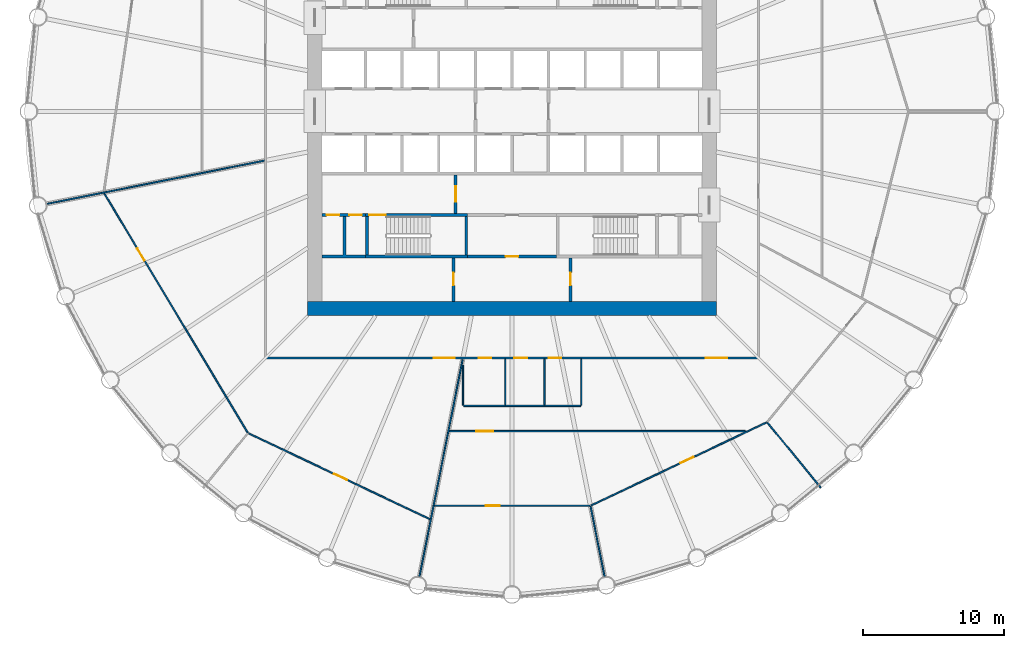
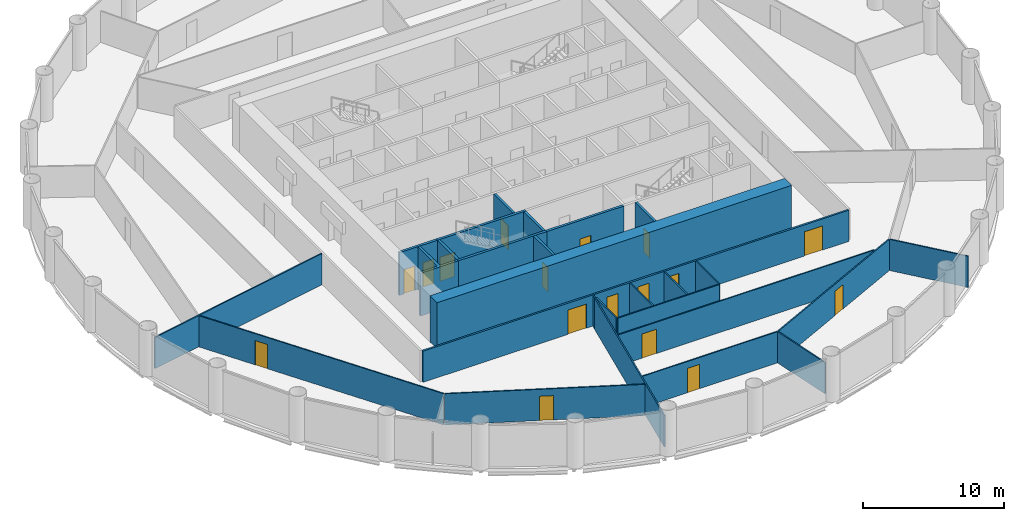
# One storey, part 4 of 8: 27 walls, 17 doors, 17 openings.
"""IFC4 building model written with IfcOpenShell, lengths in metres."""

from ifc_helpers import new_model, si_unit, direction, frame, frame_2d, origin, place, context, subcontext, project, spatial, polyline, rectangle, outline, extrude, material, layer, layer_set, type_object, element, fill, save


model = new_model("IFC4")

# Units and contexts
model_context = context("Model", 3, precision=1e-05, world=origin(), true_north=direction((0.0, 1.0)))
body_context = subcontext(model_context, "Body", "Model", "MODEL_VIEW")
ifc_project = project(units=[si_unit("LENGTHUNIT", "METRE"), si_unit("AREAUNIT", "SQUARE_METRE"), si_unit("VOLUMEUNIT", "CUBIC_METRE"), si_unit("PLANEANGLEUNIT", "RADIAN"), si_unit("MASSUNIT", "GRAM", prefix="KILO")], contexts=[model_context])

# Site, building, storey
site_placement = place(None, origin())
site = spatial("IfcSite", under=ifc_project, at=site_placement, CompositionType="ELEMENT")
building_placement = place(site_placement, origin())
building = spatial("IfcBuilding", under=site, at=building_placement, Name="Corvane Civic Tower", CompositionType="ELEMENT")
storey_placement = place(building_placement, frame((0.0, 0.0, 122.5)))
storey = spatial("IfcBuildingStorey", under=building, at=storey_placement, Name="L28", CompositionType="ELEMENT", Elevation=122.5)

# Wall
ifc_material_1 = material(Name="Concrete C70/85", Category="concrete")
ifc_layer_1 = layer(ifc_material_1, 1.0)
ifc_layer_set_1 = layer_set([ifc_layer_1], Name="Concrete C70/85")
wall_type_1 = type_object("IfcWallType", Name="CORE WALL 1000 C70/85", PredefinedType="SHEAR", material=ifc_layer_set_1)
wall_1_placement = place(storey_placement, frame((-14.5, -14.0, 0.0), z_axis=(0.0, 0.0, 1.0), x_axis=(1.0, 0.0, 0.0)))
element("IfcWall", 1, at=wall_1_placement, inside=storey, type_object=wall_type_1, Name="W-L28-core-S", PredefinedType="SHEAR", context=body_context, shape_type="SweptSolid", body=[
    extrude(rectangle(XDim=29.0, YDim=1.0, at=frame_2d((14.5, 0.0))), origin(), (0.0, 0.0, 1.0), 4.0),
])

# Wall, opening, door
ifc_material_2 = material(Name="Concrete C30/37", Category="concrete")
ifc_layer_2 = layer(ifc_material_2, 0.199951171875)
ifc_layer_set_2 = layer_set([ifc_layer_2], Name="Concrete C30/37")
wall_type_2 = type_object("IfcWallType", Name="CR-WALL-200", PredefinedType="PARTITIONING", material=ifc_layer_set_2)
wall_2_placement = place(storey_placement, frame((-3.14990234375, -10.300048828125, 0.0), z_axis=(0.0, 0.0, 1.0), x_axis=(1.0, 0.0, 0.0)))
wall_2 = element("IfcWall", 2, at=wall_2_placement, inside=storey, type_object=wall_type_2, Name="L28 partition wall", PredefinedType="PARTITIONING", context=body_context, shape_type="SweptSolid", body=[
    extrude(rectangle(XDim=6.2998046875, YDim=0.199951171875, at=frame_2d((3.14990234375, 0.0))), origin(), (0.0, 0.0, 1.0), 3.699951171875),
])
opening_1_placement = place(wall_2_placement, frame((2.699951171875, 0.0, 0.0)))
opening_1 = element("IfcOpeningElement", 3, at=opening_1_placement, cuts=wall_2, Name="Opening L28.C08", PredefinedType="OPENING", context=body_context, shape_type="SweptSolid", body=[
    extrude(rectangle(XDim=0.89990234375, YDim=2.10009765625, at=frame_2d((0.449951171875, 1.050048828125))), frame((0.0, 0.10986328125, 0.0), z_axis=(0.0, -1.0, 0.0), x_axis=(1.0, 0.0, 0.0)), (0.0, 0.0, 1.0), 0.219970703125),
])
ifc_material_3 = material(Name="Steel fire door leaf", Category="steel")
door_type_1 = type_object("IfcDoorType", Name="CR-DOOR-900", OperationType="SINGLE_SWING_LEFT", PredefinedType="DOOR", material=ifc_material_3)
door_1_placement = place(opening_1_placement, origin())
door_1 = element("IfcDoor", 4, at=door_1_placement, inside=storey, type_object=door_type_1, Name="L28 door", OperationType="SINGLE_SWING_LEFT", OverallHeight=2.10009765625, OverallWidth=0.89990234375, PredefinedType="DOOR", context=body_context, shape_type="SweptSolid", body=[
    extrude(rectangle(XDim=0.89990234375, YDim=2.10009765625, at=frame_2d((0.449951171875, 1.050048828125))), frame((0.0, 0.02490234375, 0.0), z_axis=(0.0, -1.0, 0.0), x_axis=(1.0, 0.0, 0.0)), (0.0, 0.0, 1.0), 0.050048828125),
])
fill(opening_1, door_1)

# Wall, openings, doors
wall_3_placement = place(storey_placement, frame((-13.5, -7.35009765625, 0.0), z_axis=(0.0, 0.0, 1.0), x_axis=(1.0, 0.0, 0.0)))
wall_3 = element("IfcWall", 5, at=wall_3_placement, inside=storey, type_object=wall_type_2, Name="L28 core partition wall", PredefinedType="PARTITIONING", context=body_context, shape_type="SweptSolid", body=[
    extrude(rectangle(XDim=3.10009765625, YDim=0.199951171875, at=frame_2d((1.550048828125, 0.0))), origin(), (0.0, 0.0, 1.0), 3.699951171875),
])
opening_2_placement = place(wall_3_placement, frame((0.35009765625, 0.0, 0.0)))
opening_2 = element("IfcOpeningElement", 6, at=opening_2_placement, cuts=wall_3, Name="Opening L28.C12", PredefinedType="OPENING", context=body_context, shape_type="SweptSolid", body=[
    extrude(rectangle(XDim=0.89990234375, YDim=2.10009765625, at=frame_2d((0.449951171875, 1.050048828125))), frame((0.0, 0.10986328125, 0.0), z_axis=(0.0, -1.0, 0.0), x_axis=(1.0, 0.0, 0.0)), (0.0, 0.0, 1.0), 0.219970703125),
])
opening_3_placement = place(wall_3_placement, frame((1.949951171875, 0.0, 0.0)))
opening_3 = element("IfcOpeningElement", 7, at=opening_3_placement, cuts=wall_3, Name="Opening L28.C13", PredefinedType="OPENING", context=body_context, shape_type="SweptSolid", body=[
    extrude(rectangle(XDim=0.89990234375, YDim=2.10009765625, at=frame_2d((0.449951171875, 1.050048828125))), frame((0.0, 0.10986328125, 0.0), z_axis=(0.0, -1.0, 0.0), x_axis=(1.0, 0.0, 0.0)), (0.0, 0.0, 1.0), 0.219970703125),
])
door_2_placement = place(opening_2_placement, origin())
door_2 = element("IfcDoor", 8, at=door_2_placement, inside=storey, type_object=door_type_1, Name="L28 door", OperationType="SINGLE_SWING_LEFT", OverallHeight=2.10009765625, OverallWidth=0.89990234375, PredefinedType="DOOR", context=body_context, shape_type="SweptSolid", body=[
    extrude(rectangle(XDim=0.89990234375, YDim=2.10009765625, at=frame_2d((0.449951171875, 1.050048828125))), frame((0.0, 0.02490234375, 0.0), z_axis=(0.0, -1.0, 0.0), x_axis=(1.0, 0.0, 0.0)), (0.0, 0.0, 1.0), 0.050048828125),
])
fill(opening_2, door_2)
door_3_placement = place(opening_3_placement, origin())
door_3 = element("IfcDoor", 9, at=door_3_placement, inside=storey, type_object=door_type_1, Name="L28 door", OperationType="SINGLE_SWING_LEFT", OverallHeight=2.10009765625, OverallWidth=0.89990234375, PredefinedType="DOOR", context=body_context, shape_type="SweptSolid", body=[
    extrude(rectangle(XDim=0.89990234375, YDim=2.10009765625, at=frame_2d((0.449951171875, 1.050048828125))), frame((0.0, 0.02490234375, 0.0), z_axis=(0.0, -1.0, 0.0), x_axis=(1.0, 0.0, 0.0)), (0.0, 0.0, 1.0), 0.050048828125),
])
fill(opening_3, door_3)

# Wall, opening, door
wall_4_placement = place(storey_placement, frame((-4.14990234375, -13.5, 0.0), z_axis=(0.0, 0.0, 1.0), x_axis=(0.0, 1.0, 0.0)))
wall_4 = element("IfcWall", 10, at=wall_4_placement, inside=storey, type_object=wall_type_2, Name="L28 partition wall", PredefinedType="PARTITIONING", context=body_context, shape_type="SweptSolid", body=[
    extrude(rectangle(XDim=3.10009765625, YDim=0.199951171875, at=frame_2d((1.550048828125, 0.0))), origin(), (0.0, 0.0, 1.0), 3.699951171875),
])
opening_4_placement = place(wall_4_placement, frame((1.14990234375, 0.0, 0.0)))
opening_4 = element("IfcOpeningElement", 11, at=opening_4_placement, cuts=wall_4, Name="Opening L28.C07", PredefinedType="OPENING", context=body_context, shape_type="SweptSolid", body=[
    extrude(rectangle(XDim=0.89990234375, YDim=2.10009765625, at=frame_2d((0.449951171875, 1.050048828125))), frame((0.0, 0.10986328125, 0.0), z_axis=(0.0, -1.0, 0.0), x_axis=(1.0, 0.0, 0.0)), (0.0, 0.0, 1.0), 0.219970703125),
])
door_4_placement = place(opening_4_placement, origin())
door_4 = element("IfcDoor", 12, at=door_4_placement, inside=storey, type_object=door_type_1, Name="L28 door", OperationType="SINGLE_SWING_LEFT", OverallHeight=2.10009765625, OverallWidth=0.89990234375, PredefinedType="DOOR", context=body_context, shape_type="SweptSolid", body=[
    extrude(rectangle(XDim=0.89990234375, YDim=2.10009765625, at=frame_2d((0.449951171875, 1.050048828125))), frame((0.0, 0.02490234375, 0.0), z_axis=(0.0, -1.0, 0.0), x_axis=(1.0, 0.0, 0.0)), (0.0, 0.0, 1.0), 0.050048828125),
])
fill(opening_4, door_4)

wall_5_placement = place(storey_placement, frame((-4.0, -7.25, 0.0), z_axis=(0.0, 0.0, 1.0), x_axis=(0.0, 1.0, 0.0)))
wall_5 = element("IfcWall", 13, at=wall_5_placement, inside=storey, type_object=wall_type_2, Name="L28 core partition wall", PredefinedType="PARTITIONING", context=body_context, shape_type="SweptSolid", body=[
    extrude(rectangle(XDim=2.75, YDim=0.199951171875, at=frame_2d((1.375, 0.0))), origin(), (0.0, 0.0, 1.0), 3.699951171875),
])
opening_5_placement = place(wall_5_placement, frame((0.824951171875, 0.0, 0.0)))
opening_5 = element("IfcOpeningElement", 14, at=opening_5_placement, cuts=wall_5, Name="Opening L28.C25", PredefinedType="OPENING", context=body_context, shape_type="SweptSolid", body=[
    extrude(rectangle(XDim=1.10009765625, YDim=2.10009765625, at=frame_2d((0.550048828125, 1.050048828125))), frame((0.0, 0.10986328125, 0.0), z_axis=(0.0, -1.0, 0.0), x_axis=(1.0, 0.0, 0.0)), (0.0, 0.0, 1.0), 0.219970703125),
])
ifc_material_4 = material(Name="Steel fire door leaf", Category="steel")
door_type_2 = type_object("IfcDoorType", Name="CR-DOOR-FFL-1100", OperationType="SINGLE_SWING_LEFT", PredefinedType="DOOR", material=ifc_material_4)
door_5_placement = place(opening_5_placement, origin())
door_5 = element("IfcDoor", 15, at=door_5_placement, inside=storey, type_object=door_type_2, Name="L28 lobby door", OperationType="SINGLE_SWING_LEFT", OverallHeight=2.10009765625, OverallWidth=1.10009765625, PredefinedType="DOOR", context=body_context, shape_type="SweptSolid", body=[
    extrude(rectangle(XDim=1.10009765625, YDim=2.10009765625, at=frame_2d((0.550048828125, 1.050048828125))), frame((0.0, 0.02490234375, 0.0), z_axis=(0.0, -1.0, 0.0), x_axis=(1.0, 0.0, 0.0)), (0.0, 0.0, 1.0), 0.050048828125),
])
fill(opening_5, door_5)

wall_6_placement = place(storey_placement, frame((4.14990234375, -13.5, 0.0), z_axis=(0.0, 0.0, 1.0), x_axis=(0.0, 1.0, 0.0)))
wall_6 = element("IfcWall", 16, at=wall_6_placement, inside=storey, type_object=wall_type_2, Name="L28 partition wall", PredefinedType="PARTITIONING", context=body_context, shape_type="SweptSolid", body=[
    extrude(rectangle(XDim=3.10009765625, YDim=0.199951171875, at=frame_2d((1.550048828125, 0.0))), origin(), (0.0, 0.0, 1.0), 3.699951171875),
])
opening_6_placement = place(wall_6_placement, frame((1.14990234375, 0.0, 0.0)))
opening_6 = element("IfcOpeningElement", 17, at=opening_6_placement, cuts=wall_6, Name="Opening L28.C09", PredefinedType="OPENING", context=body_context, shape_type="SweptSolid", body=[
    extrude(rectangle(XDim=0.89990234375, YDim=2.10009765625, at=frame_2d((0.449951171875, 1.050048828125))), frame((0.0, 0.10986328125, 0.0), z_axis=(0.0, -1.0, 0.0), x_axis=(1.0, 0.0, 0.0)), (0.0, 0.0, 1.0), 0.219970703125),
])
door_6_placement = place(opening_6_placement, origin())
door_6 = element("IfcDoor", 18, at=door_6_placement, inside=storey, type_object=door_type_1, Name="L28 door", OperationType="SINGLE_SWING_LEFT", OverallHeight=2.10009765625, OverallWidth=0.89990234375, PredefinedType="DOOR", context=body_context, shape_type="SweptSolid", body=[
    extrude(rectangle(XDim=0.89990234375, YDim=2.10009765625, at=frame_2d((0.449951171875, 1.050048828125))), frame((0.0, 0.02490234375, 0.0), z_axis=(0.0, -1.0, 0.0), x_axis=(1.0, 0.0, 0.0)), (0.0, 0.0, 1.0), 0.050048828125),
])
fill(opening_6, door_6)

# Walls
wall_7_placement = place(storey_placement, origin())
element("IfcWall", 19, at=wall_7_placement, inside=storey, type_object=wall_type_2, Name="L28 core partition wall", PredefinedType="PARTITIONING", context=body_context, shape_type="SweptSolid", body=[
    extrude(outline(polyline([(-12.0, -7.449951171875), (-11.800048828125, -7.449951171875), (-11.800048828125, -10.199951171875), (-10.39990234375, -10.199951171875), (-10.39990234375, -10.39990234375), (-13.5, -10.39990234375), (-13.5, -10.199951171875), (-12.0, -10.199951171875), (-12.0, -7.449951171875)])), origin(), (0.0, 0.0, 1.0), 3.699951171875),
])
ifc_material_5 = material(Name="Plasterboard")
ifc_layer_3 = layer(ifc_material_5, 0.10009765625)
ifc_layer_set_3 = layer_set([ifc_layer_3], Name="Plasterboard")
wall_type_3 = type_object("IfcWallType", Name="Partition 100 plasterboard on studs", PredefinedType="PARTITIONING", material=ifc_layer_set_3)
wall_8_placement = place(storey_placement, frame((-6.567626953125, -33.01806640625, 0.0), z_axis=(0.0, 0.0, 1.0), x_axis=(0.195082522727, 0.980786831746, 0.0)))
element("IfcWall", 20, at=wall_8_placement, inside=storey, type_object=wall_type_3, Name="Partition L28.001", PredefinedType="PARTITIONING", context=body_context, shape_type="SweptSolid", body=[
    extrude(rectangle(XDim=15.309326171875, YDim=0.10009765625, at=frame_2d((7.65478515625, 0.0))), origin(), (0.0, 0.0, 1.0), 2.699951171875),
])
wall_9_placement = place(storey_placement, frame((5.576416015625, -28.034912109375, 0.0), z_axis=(0.0, 0.0, 1.0), x_axis=(0.195090306735, -0.980785283443, 0.0)))
element("IfcWall", 21, at=wall_9_placement, inside=storey, type_object=wall_type_3, Name="Partition L28.002", PredefinedType="PARTITIONING", context=body_context, shape_type="SweptSolid", body=[
    extrude(rectangle(XDim=5.080810546875, YDim=0.10009765625, at=frame_2d((2.54052734375, 0.0))), origin(), (0.0, 0.0, 1.0), 2.699951171875),
])

# Wall, opening, door
wall_10_placement = place(storey_placement, frame((-18.70751953125, -22.854736328125, 0.0), z_axis=(0.0, 0.0, 1.0), x_axis=(0.903989828482, -0.427553961508, 0.0)))
wall_10 = element("IfcWall", 22, at=wall_10_placement, inside=storey, type_object=wall_type_3, Name="Partition L28.003", PredefinedType="PARTITIONING", context=body_context, shape_type="SweptSolid", body=[
    extrude(rectangle(XDim=14.25439453125, YDim=0.10009765625, at=frame_2d((7.127197265625, 0.0))), origin(), (0.0, 0.0, 1.0), 2.699951171875),
])
opening_7_placement = place(wall_10_placement, frame((6.72900390625, 0.0, 0.0)))
opening_7 = element("IfcOpeningElement", 23, at=opening_7_placement, cuts=wall_10, Name="Opening L28.001", PredefinedType="OPENING", context=body_context, shape_type="SweptSolid", body=[
    extrude(rectangle(XDim=1.0, YDim=2.10009765625, at=frame_2d((0.5, 1.050048828125))), frame((0.0, 0.06005859375, 0.0), z_axis=(0.0, -1.0, 0.0), x_axis=(1.0, 0.0, 0.0)), (0.0, 0.0, 1.0), 0.1201171875),
])
ifc_material_6 = material(Name="Timber", Category="wood")
door_type_3 = type_object("IfcDoorType", Name="Single door 1000", OperationType="NOTDEFINED", PredefinedType="DOOR", material=ifc_material_6)
door_7_placement = place(opening_7_placement, frame((1.0, 0.0, 0.0), z_axis=(0.0, 0.0, 1.0), x_axis=(-1.0, 0.0, 0.0)))
door_7 = element("IfcDoor", 24, at=door_7_placement, inside=storey, type_object=door_type_3, Name="Door L28.001", OperationType="SINGLE_SWING_LEFT", OverallHeight=2.10009765625, OverallWidth=1.0, PredefinedType="DOOR", context=body_context, shape_type="SweptSolid", body=[
    extrude(rectangle(XDim=1.0, YDim=2.10009765625, at=frame_2d((0.5, 1.050048828125))), frame((0.0, 0.02490234375, 0.0), z_axis=(0.0, -1.0, 0.0), x_axis=(1.0, 0.0, 0.0)), (0.0, 0.0, 1.0), 0.050048828125),
])
fill(opening_7, door_7)

wall_11_placement = place(storey_placement, frame((-5.507568359375, -27.994384765625, 0.0), z_axis=(0.0, 0.0, 1.0), x_axis=(1.0, 0.0, 0.0)))
wall_11 = element("IfcWall", 25, at=wall_11_placement, inside=storey, type_object=wall_type_3, Name="Partition L28.004", PredefinedType="PARTITIONING", context=body_context, shape_type="SweptSolid", body=[
    extrude(rectangle(XDim=11.034912109375, YDim=0.10009765625, at=frame_2d((5.517578125, 0.0))), origin(), (0.0, 0.0, 1.0), 2.699951171875),
])
opening_8_placement = place(wall_11_placement, frame((3.6533203125, 0.0, 0.0)))
opening_8 = element("IfcOpeningElement", 26, at=opening_8_placement, cuts=wall_11, Name="Opening L28.020", PredefinedType="OPENING", context=body_context, shape_type="SweptSolid", body=[
    extrude(rectangle(XDim=1.0, YDim=2.10009765625, at=frame_2d((0.5, 1.050048828125))), frame((0.0, 0.06005859375, 0.0), z_axis=(0.0, -1.0, 0.0), x_axis=(1.0, 0.0, 0.0)), (0.0, 0.0, 1.0), 0.1201171875),
])
door_8_placement = place(opening_8_placement, frame((1.0, 0.0, 0.0), z_axis=(0.0, 0.0, 1.0), x_axis=(-1.0, 0.0, 0.0)))
door_8 = element("IfcDoor", 27, at=door_8_placement, inside=storey, type_object=door_type_3, Name="Door L28.020", OperationType="SINGLE_SWING_LEFT", OverallHeight=2.10009765625, OverallWidth=1.0, PredefinedType="DOOR", context=body_context, shape_type="SweptSolid", body=[
    extrude(rectangle(XDim=1.0, YDim=2.10009765625, at=frame_2d((0.5, 1.050048828125))), frame((0.0, 0.02490234375, 0.0), z_axis=(0.0, -1.0, 0.0), x_axis=(1.0, 0.0, 0.0)), (0.0, 0.0, 1.0), 0.050048828125),
])
fill(opening_8, door_8)

wall_12_placement = place(storey_placement, frame((5.603759765625, -27.977783203125, 0.0), z_axis=(0.0, 0.0, 1.0), x_axis=(0.903994657209, 0.42754375184, 0.0)))
wall_12 = element("IfcWall", 28, at=wall_12_placement, inside=storey, type_object=wall_type_3, Name="Partition L28.005", PredefinedType="PARTITIONING", context=body_context, shape_type="SweptSolid", body=[
    extrude(rectangle(XDim=13.792724609375, YDim=0.10009765625, at=frame_2d((6.896484375, 0.0))), origin(), (0.0, 0.0, 1.0), 2.699951171875),
])
opening_9_placement = place(wall_12_placement, frame((7.0439453125, 0.0, 0.0)))
opening_9 = element("IfcOpeningElement", 29, at=opening_9_placement, cuts=wall_12, Name="Opening L28.019", PredefinedType="OPENING", context=body_context, shape_type="SweptSolid", body=[
    extrude(rectangle(XDim=1.0, YDim=2.10009765625, at=frame_2d((0.5, 1.050048828125))), frame((0.0, 0.06005859375, 0.0), z_axis=(0.0, -1.0, 0.0), x_axis=(1.0, 0.0, 0.0)), (0.0, 0.0, 1.0), 0.1201171875),
])
door_9_placement = place(opening_9_placement, frame((1.0, 0.0, 0.0), z_axis=(0.0, 0.0, 1.0), x_axis=(-1.0, 0.0, 0.0)))
door_9 = element("IfcDoor", 30, at=door_9_placement, inside=storey, type_object=door_type_3, Name="Door L28.019", OperationType="SINGLE_SWING_LEFT", OverallHeight=2.10009765625, OverallWidth=1.0, PredefinedType="DOOR", context=body_context, shape_type="SweptSolid", body=[
    extrude(rectangle(XDim=1.0, YDim=2.10009765625, at=frame_2d((0.5, 1.050048828125))), frame((0.0, 0.02490234375, 0.0), z_axis=(0.0, -1.0, 0.0), x_axis=(1.0, 0.0, 0.0)), (0.0, 0.0, 1.0), 0.050048828125),
])
fill(opening_9, door_9)

# Wall
wall_13_placement = place(storey_placement, frame((18.133544921875, -22.095703125, 0.0), z_axis=(0.0, 0.0, 1.0), x_axis=(0.634382451153, -0.773019343658, 0.0)))
element("IfcWall", 31, at=wall_13_placement, inside=storey, type_object=wall_type_3, Name="Partition L28.007", PredefinedType="PARTITIONING", context=body_context, shape_type="SweptSolid", body=[
    extrude(rectangle(XDim=5.96630859375, YDim=0.10009765625, at=frame_2d((2.983154296875, 0.0))), origin(), (0.0, 0.0, 1.0), 2.699951171875),
])

# Wall, opening, door
wall_14_placement = place(storey_placement, frame((-28.93994140625, -5.82470703125, 0.0), z_axis=(0.0, 0.0, 1.0), x_axis=(0.514098592788, -0.857731098243, 0.0)))
wall_14 = element("IfcWall", 32, at=wall_14_placement, inside=storey, type_object=wall_type_3, Name="Partition L28.008", PredefinedType="PARTITIONING", context=body_context, shape_type="SweptSolid", body=[
    extrude(rectangle(XDim=19.800048828125, YDim=0.10009765625, at=frame_2d((9.89990234375, 0.0))), origin(), (0.0, 0.0, 1.0), 2.699951171875),
])
opening_10_placement = place(wall_14_placement, frame((4.54931640625, 0.0, 0.0)))
opening_10 = element("IfcOpeningElement", 33, at=opening_10_placement, cuts=wall_14, Name="Opening L28.002", PredefinedType="OPENING", context=body_context, shape_type="SweptSolid", body=[
    extrude(rectangle(XDim=1.0, YDim=2.10009765625, at=frame_2d((0.5, 1.050048828125))), frame((0.0, 0.06005859375, 0.0), z_axis=(0.0, -1.0, 0.0), x_axis=(1.0, 0.0, 0.0)), (0.0, 0.0, 1.0), 0.1201171875),
])
door_10_placement = place(opening_10_placement, frame((1.0, 0.0, 0.0), z_axis=(0.0, 0.0, 1.0), x_axis=(-1.0, 0.0, 0.0)))
door_10 = element("IfcDoor", 34, at=door_10_placement, inside=storey, type_object=door_type_3, Name="Door L28.002", OperationType="SINGLE_SWING_LEFT", OverallHeight=2.10009765625, OverallWidth=1.0, PredefinedType="DOOR", context=body_context, shape_type="SweptSolid", body=[
    extrude(rectangle(XDim=1.0, YDim=2.10009765625, at=frame_2d((0.5, 1.050048828125))), frame((0.0, 0.02490234375, 0.0), z_axis=(0.0, -1.0, 0.0), x_axis=(1.0, 0.0, 0.0)), (0.0, 0.0, 1.0), 0.050048828125),
])
fill(opening_10, door_10)

wall_15_placement = place(storey_placement, frame((-4.454345703125, -22.699951171875, 0.0), z_axis=(0.0, 0.0, 1.0), x_axis=(1.0, 0.0, 0.0)))
wall_15 = element("IfcWall", 35, at=wall_15_placement, inside=storey, type_object=wall_type_3, Name="Partition L28.009", PredefinedType="PARTITIONING", context=body_context, shape_type="SweptSolid", body=[
    extrude(rectangle(XDim=20.99462890625, YDim=0.10009765625, at=frame_2d((10.497314453125, 0.0))), origin(), (0.0, 0.0, 1.0), 2.699951171875),
])
opening_11_placement = place(wall_15_placement, frame((1.93359375, 0.0, 0.0)))
opening_11 = element("IfcOpeningElement", 36, at=opening_11_placement, cuts=wall_15, Name="Opening L28.021", PredefinedType="OPENING", context=body_context, shape_type="SweptSolid", body=[
    extrude(rectangle(XDim=1.199951171875, YDim=2.10009765625, at=frame_2d((0.60009765625, 1.050048828125))), frame((0.0, 0.06005859375, 0.0), z_axis=(0.0, -1.0, 0.0), x_axis=(1.0, 0.0, 0.0)), (0.0, 0.0, 1.0), 0.1201171875),
])
ifc_material_7 = material(Name="Timber", Category="wood")
door_type_4 = type_object("IfcDoorType", Name="Double door 1200", OperationType="NOTDEFINED", PredefinedType="DOOR", material=ifc_material_7)
door_11_placement = place(opening_11_placement, frame((1.199951171875, 0.0, 0.0), z_axis=(0.0, 0.0, 1.0), x_axis=(-1.0, 0.0, 0.0)))
door_11 = element("IfcDoor", 37, at=door_11_placement, inside=storey, type_object=door_type_4, Name="Door L28.021", OperationType="DOUBLE_DOOR_SINGLE_SWING", OverallHeight=2.10009765625, OverallWidth=1.199951171875, PredefinedType="DOOR", context=body_context, shape_type="SweptSolid", body=[
    extrude(rectangle(XDim=1.199951171875, YDim=2.10009765625, at=frame_2d((0.60009765625, 1.050048828125))), frame((0.0, 0.02490234375, 0.0), z_axis=(0.0, -1.0, 0.0), x_axis=(1.0, 0.0, 0.0)), (0.0, 0.0, 1.0), 0.050048828125),
])
fill(opening_11, door_11)

# Walls
wall_16_placement = place(storey_placement, frame((-3.430908203125, -20.89990234375, 0.0), z_axis=(0.0, 0.0, 1.0), x_axis=(1.0, 0.0, 0.0)))
element("IfcWall", 38, at=wall_16_placement, inside=storey, type_object=wall_type_3, Name="Partition L28.011", PredefinedType="PARTITIONING", context=body_context, shape_type="SweptSolid", body=[
    extrude(rectangle(XDim=8.2998046875, YDim=0.10009765625, at=frame_2d((4.14990234375, 0.0))), origin(), (0.0, 0.0, 1.0), 2.699951171875),
])
wall_17_placement = place(storey_placement, frame((-3.48095703125, -20.85009765625, 0.0), z_axis=(0.0, 0.0, 1.0), x_axis=(0.0, 1.0, 0.0)))
element("IfcWall", 39, at=wall_17_placement, inside=storey, type_object=wall_type_3, Name="Partition L28.012", PredefinedType="PARTITIONING", context=body_context, shape_type="SweptSolid", body=[
    extrude(rectangle(XDim=2.84228515625, YDim=0.10009765625, at=frame_2d((1.421142578125, 0.0))), origin(), (0.0, 0.0, 1.0), 2.699951171875),
])
for number, where, z_axis, x_axis, name in (
    (40, (-0.48095703125, -20.85009765625, 0.0), (0.0, 0.0, 1.0), (0.0, 1.0, 0.0), "Partition L28.013"),
    (41, (2.319091796875, -20.85009765625, 0.0), (0.0, 0.0, 1.0), (0.0, 1.0, 0.0), "Partition L28.014"),
    (42, (4.9189453125, -20.85009765625, 0.0), (0.0, 0.0, 1.0), (0.0, 1.0, 0.0), "Partition L28.015"),
):
    element("IfcWall", number, at=place(storey_placement, frame(where, z_axis=z_axis, x_axis=x_axis)), inside=storey, type_object=wall_type_3, Name=name, PredefinedType="PARTITIONING", context=body_context, shape_type="SweptSolid", body=[
        extrude(rectangle(XDim=3.275146484375, YDim=0.10009765625, at=frame_2d((1.6376953125, 0.0))), origin(), (0.0, 0.0, 1.0), 2.699951171875),
    ])
wall_18_placement = place(storey_placement, frame((-33.01806640625, -6.567626953125, 0.0), z_axis=(0.0, 0.0, 1.0), x_axis=(0.980786008626, 0.195086660958, 0.0)))
element("IfcWall", 43, at=wall_18_placement, inside=storey, type_object=wall_type_3, Name="Partition L28.022", PredefinedType="PARTITIONING", context=body_context, shape_type="SweptSolid", body=[
    extrude(rectangle(XDim=15.735595703125, YDim=0.10009765625, at=frame_2d((7.86767578125, 0.0))), origin(), (0.0, 0.0, 1.0), 2.699951171875),
])
wall_19_placement = place(storey_placement, frame((-3.5810546875, -18.0029296875, 0.0), z_axis=(0.0, 0.0, 1.0), x_axis=(0.195047719412, 0.980793753626, 0.0)))
element("IfcWall", 44, at=wall_19_placement, inside=storey, type_object=wall_type_3, Name="Partition L28.042", PredefinedType="PARTITIONING", context=body_context, shape_type="SweptSolid", body=[
    extrude(rectangle(XDim=0.3955078125, YDim=0.10009765625, at=frame_2d((0.19775390625, 0.0))), origin(), (0.0, 0.0, 1.0), 2.699951171875),
])

# Wall, opening, door
ifc_material_8 = material(Name="Concrete C50/60", Category="concrete")
ifc_layer_4 = layer(ifc_material_8, 0.199951171875)
ifc_layer_set_4 = layer_set([ifc_layer_4], Name="Concrete C50/60")
wall_type_4 = type_object("IfcWallType", Name="ST-WALL-200", PredefinedType="SHEAR", material=ifc_layer_set_4)
wall_20_placement = place(storey_placement, frame((-10.39990234375, -7.35009765625, 0.0), z_axis=(0.0, 0.0, 1.0), x_axis=(1.0, 0.0, 0.0)))
wall_20 = element("IfcWall", 45, at=wall_20_placement, inside=storey, type_object=wall_type_4, Name="L28 stair enclosure wall", PredefinedType="SHEAR", context=body_context, shape_type="SweptSolid", body=[
    extrude(rectangle(XDim=7.25, YDim=0.199951171875, at=frame_2d((3.625, 0.0))), origin(), (0.0, 0.0, 1.0), 3.699951171875),
])
opening_12_placement = place(wall_20_placement, frame((0.25, 0.0, 0.0)))
opening_12 = element("IfcOpeningElement", 46, at=opening_12_placement, cuts=wall_20, Name="Opening L28.C21", PredefinedType="OPENING", context=body_context, shape_type="SweptSolid", body=[
    extrude(rectangle(XDim=1.199951171875, YDim=2.10009765625, at=frame_2d((0.60009765625, 1.050048828125))), frame((0.0, 0.10986328125, 0.0), z_axis=(0.0, -1.0, 0.0), x_axis=(1.0, 0.0, 0.0)), (0.0, 0.0, 1.0), 0.219970703125),
])
ifc_material_9 = material(Name="Steel fire door leaf", Category="steel")
door_type_5 = type_object("IfcDoorType", Name="ST-DOOR-1200", OperationType="SINGLE_SWING_RIGHT", PredefinedType="DOOR", material=ifc_material_9)
door_12_placement = place(opening_12_placement, origin())
door_12 = element("IfcDoor", 47, at=door_12_placement, inside=storey, type_object=door_type_5, Name="L28 stair door", OperationType="SINGLE_SWING_RIGHT", OverallHeight=2.10009765625, OverallWidth=1.199951171875, PredefinedType="DOOR", context=body_context, shape_type="SweptSolid", body=[
    extrude(rectangle(XDim=1.199951171875, YDim=2.10009765625, at=frame_2d((0.60009765625, 1.050048828125))), frame((0.0, 0.02490234375, 0.0), z_axis=(0.0, -1.0, 0.0), x_axis=(1.0, 0.0, 0.0)), (0.0, 0.0, 1.0), 0.050048828125),
])
fill(opening_12, door_12)

# Walls
wall_21_placement = place(storey_placement, origin())
element("IfcWall", 48, at=wall_21_placement, inside=storey, type_object=wall_type_4, Name="L28 stair enclosure wall", PredefinedType="SHEAR", context=body_context, shape_type="SweptSolid", body=[
    extrude(outline(polyline([(-3.14990234375, -10.199951171875), (-3.14990234375, -10.39990234375), (-10.39990234375, -10.39990234375), (-10.39990234375, -10.199951171875), (-3.14990234375, -10.199951171875)])), origin(), (0.0, 0.0, 1.0), 3.699951171875),
])
wall_22_placement = place(storey_placement, origin())
element("IfcWall", 49, at=wall_22_placement, inside=storey, type_object=wall_type_4, Name="L28 stair enclosure wall", PredefinedType="SHEAR", context=body_context, shape_type="SweptSolid", body=[
    extrude(outline(polyline([(-3.14990234375, -7.449951171875), (-3.14990234375, -10.199951171875), (-3.35009765625, -10.199951171875), (-3.35009765625, -7.449951171875), (-3.14990234375, -7.449951171875)])), origin(), (0.0, 0.0, 1.0), 3.699951171875),
])
wall_23_placement = place(storey_placement, origin())
element("IfcWall", 50, at=wall_23_placement, inside=storey, type_object=wall_type_4, Name="L28 stair enclosure wall", PredefinedType="SHEAR", context=body_context, shape_type="SweptSolid", body=[
    extrude(outline(polyline([(-10.199951171875, -7.449951171875), (-10.199951171875, -10.199951171875), (-10.39990234375, -10.199951171875), (-10.39990234375, -7.449951171875), (-10.199951171875, -7.449951171875)])), origin(), (0.0, 0.0, 1.0), 3.699951171875),
])

# Wall, openings, doors
ifc_material_10 = material(Name="Plasterboard")
ifc_layer_5 = layer(ifc_material_10, 0.14990234375)
ifc_layer_set_5 = layer_set([ifc_layer_5], Name="Plasterboard")
wall_type_5 = type_object("IfcWallType", Name="Tenancy wall 150 EI 60", PredefinedType="PARTITIONING", material=ifc_layer_set_5)
wall_24_placement = place(storey_placement, frame((-17.425048828125, -17.5, 0.0), z_axis=(0.0, 0.0, 1.0), x_axis=(1.0, 0.0, 0.0)))
wall_24 = element("IfcWall", 51, at=wall_24_placement, inside=storey, type_object=wall_type_5, Name="Partition L28.016", PredefinedType="PARTITIONING", context=body_context, shape_type="SweptSolid", body=[
    extrude(rectangle(XDim=34.85009765625, YDim=0.14990234375, at=frame_2d((17.425048828125, 0.0))), origin(), (0.0, 0.0, 1.0), 2.699951171875),
])
opening_13_placement = place(wall_24_placement, frame((11.8759765625, 0.0, 0.0)))
opening_13 = element("IfcOpeningElement", 52, at=opening_13_placement, cuts=wall_24, Name="Opening L28.003", PredefinedType="OPENING", context=body_context, shape_type="SweptSolid", body=[
    extrude(rectangle(XDim=1.5, YDim=2.10009765625, at=frame_2d((0.75, 1.050048828125))), frame((0.0, 0.0849609375, 0.0), z_axis=(0.0, -1.0, 0.0), x_axis=(1.0, 0.0, 0.0)), (0.0, 0.0, 1.0), 0.169921875),
])
opening_14_placement = place(wall_24_placement, frame((31.19482421875, 0.0, 0.0)))
opening_14 = element("IfcOpeningElement", 53, at=opening_14_placement, cuts=wall_24, Name="Opening L28.022", PredefinedType="OPENING", context=body_context, shape_type="SweptSolid", body=[
    extrude(rectangle(XDim=1.5, YDim=2.10009765625, at=frame_2d((0.75, 1.050048828125))), frame((0.0, 0.0849609375, 0.0), z_axis=(0.0, -1.0, 0.0), x_axis=(1.0, 0.0, 0.0)), (0.0, 0.0, 1.0), 0.169921875),
])
opening_15_placement = place(wall_24_placement, frame((15.0625, 0.0, 0.0)))
opening_15 = element("IfcOpeningElement", 54, at=opening_15_placement, cuts=wall_24, Name="Opening L28.023", PredefinedType="OPENING", context=body_context, shape_type="SweptSolid", body=[
    extrude(rectangle(XDim=0.89990234375, YDim=2.10009765625, at=frame_2d((0.449951171875, 1.050048828125))), frame((0.0, 0.0849609375, 0.0), z_axis=(0.0, -1.0, 0.0), x_axis=(1.0, 0.0, 0.0)), (0.0, 0.0, 1.0), 0.169921875),
])
opening_16_placement = place(wall_24_placement, frame((17.595703125, 0.0, 0.0)))
opening_16 = element("IfcOpeningElement", 55, at=opening_16_placement, cuts=wall_24, Name="Opening L28.024", PredefinedType="OPENING", context=body_context, shape_type="SweptSolid", body=[
    extrude(rectangle(XDim=0.89990234375, YDim=2.10009765625, at=frame_2d((0.449951171875, 1.050048828125))), frame((0.0, 0.0849609375, 0.0), z_axis=(0.0, -1.0, 0.0), x_axis=(1.0, 0.0, 0.0)), (0.0, 0.0, 1.0), 0.169921875),
])
opening_17_placement = place(wall_24_placement, frame((20.037353515625, 0.0, 0.0)))
opening_17 = element("IfcOpeningElement", 56, at=opening_17_placement, cuts=wall_24, Name="Opening L28.025", PredefinedType="OPENING", context=body_context, shape_type="SweptSolid", body=[
    extrude(rectangle(XDim=0.89990234375, YDim=2.10009765625, at=frame_2d((0.449951171875, 1.050048828125))), frame((0.0, 0.0849609375, 0.0), z_axis=(0.0, -1.0, 0.0), x_axis=(1.0, 0.0, 0.0)), (0.0, 0.0, 1.0), 0.169921875),
])
ifc_material_11 = material(Name="Steel and timber", Category="steel")
door_type_6 = type_object("IfcDoorType", Name="Fire door FD30S 900", OperationType="NOTDEFINED", PredefinedType="DOOR", material=ifc_material_11)
door_13_placement = place(opening_15_placement, frame((0.89990234375, 0.0, 0.0), z_axis=(0.0, 0.0, 1.0), x_axis=(-1.0, 0.0, 0.0)))
door_13 = element("IfcDoor", 57, at=door_13_placement, inside=storey, type_object=door_type_6, Name="Door L28.023", OperationType="SINGLE_SWING_LEFT", OverallHeight=2.10009765625, OverallWidth=0.89990234375, PredefinedType="DOOR", context=body_context, shape_type="SweptSolid", body=[
    extrude(rectangle(XDim=0.89990234375, YDim=2.10009765625, at=frame_2d((0.449951171875, 1.050048828125))), frame((0.0, 0.02490234375, 0.0), z_axis=(0.0, -1.0, 0.0), x_axis=(1.0, 0.0, 0.0)), (0.0, 0.0, 1.0), 0.050048828125),
])
fill(opening_15, door_13)
door_14_placement = place(opening_16_placement, frame((0.89990234375, 0.0, 0.0), z_axis=(0.0, 0.0, 1.0), x_axis=(-1.0, 0.0, 0.0)))
door_14 = element("IfcDoor", 58, at=door_14_placement, inside=storey, type_object=door_type_6, Name="Door L28.024", OperationType="SINGLE_SWING_RIGHT", OverallHeight=2.10009765625, OverallWidth=0.89990234375, PredefinedType="DOOR", context=body_context, shape_type="SweptSolid", body=[
    extrude(rectangle(XDim=0.89990234375, YDim=2.10009765625, at=frame_2d((0.449951171875, 1.050048828125))), frame((0.0, 0.02490234375, 0.0), z_axis=(0.0, -1.0, 0.0), x_axis=(1.0, 0.0, 0.0)), (0.0, 0.0, 1.0), 0.050048828125),
])
fill(opening_16, door_14)
door_15_placement = place(opening_17_placement, frame((0.89990234375, 0.0, 0.0), z_axis=(0.0, 0.0, 1.0), x_axis=(-1.0, 0.0, 0.0)))
door_15 = element("IfcDoor", 59, at=door_15_placement, inside=storey, type_object=door_type_6, Name="Door L28.025", OperationType="SINGLE_SWING_LEFT", OverallHeight=2.10009765625, OverallWidth=0.89990234375, PredefinedType="DOOR", context=body_context, shape_type="SweptSolid", body=[
    extrude(rectangle(XDim=0.89990234375, YDim=2.10009765625, at=frame_2d((0.449951171875, 1.050048828125))), frame((0.0, 0.02490234375, 0.0), z_axis=(0.0, -1.0, 0.0), x_axis=(1.0, 0.0, 0.0)), (0.0, 0.0, 1.0), 0.050048828125),
])
fill(opening_17, door_15)
ifc_material_12 = material(Name="Steel and timber", Category="steel")
door_type_7 = type_object("IfcDoorType", Name="Fire door FD60 double 1500", OperationType="NOTDEFINED", PredefinedType="DOOR", material=ifc_material_12)
door_16_placement = place(opening_13_placement, frame((1.5, 0.0, 0.0), z_axis=(0.0, 0.0, 1.0), x_axis=(-1.0, 0.0, 0.0)))
door_16 = element("IfcDoor", 60, at=door_16_placement, inside=storey, type_object=door_type_7, Name="Door L28.003", OperationType="DOUBLE_DOOR_SINGLE_SWING", OverallHeight=2.10009765625, OverallWidth=1.5, PredefinedType="DOOR", context=body_context, shape_type="SweptSolid", body=[
    extrude(rectangle(XDim=1.5, YDim=2.10009765625, at=frame_2d((0.75, 1.050048828125))), frame((0.0, 0.02490234375, 0.0), z_axis=(0.0, -1.0, 0.0), x_axis=(1.0, 0.0, 0.0)), (0.0, 0.0, 1.0), 0.050048828125),
])
fill(opening_13, door_16)
door_17_placement = place(opening_14_placement, frame((1.5, 0.0, 0.0), z_axis=(0.0, 0.0, 1.0), x_axis=(-1.0, 0.0, 0.0)))
door_17 = element("IfcDoor", 61, at=door_17_placement, inside=storey, type_object=door_type_7, Name="Door L28.022", OperationType="DOUBLE_DOOR_SINGLE_SWING", OverallHeight=2.10009765625, OverallWidth=1.5, PredefinedType="DOOR", context=body_context, shape_type="SweptSolid", body=[
    extrude(rectangle(XDim=1.5, YDim=2.10009765625, at=frame_2d((0.75, 1.050048828125))), frame((0.0, 0.02490234375, 0.0), z_axis=(0.0, -1.0, 0.0), x_axis=(1.0, 0.0, 0.0)), (0.0, 0.0, 1.0), 0.050048828125),
])
fill(opening_14, door_17)

save(model, "model.ifc")
